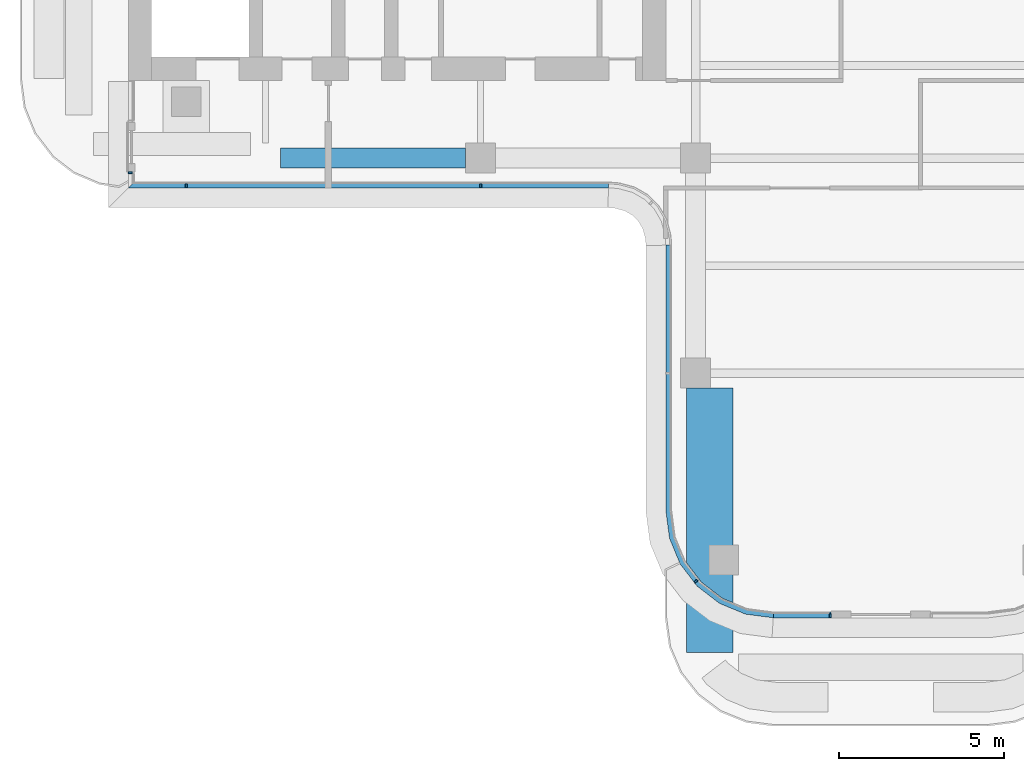
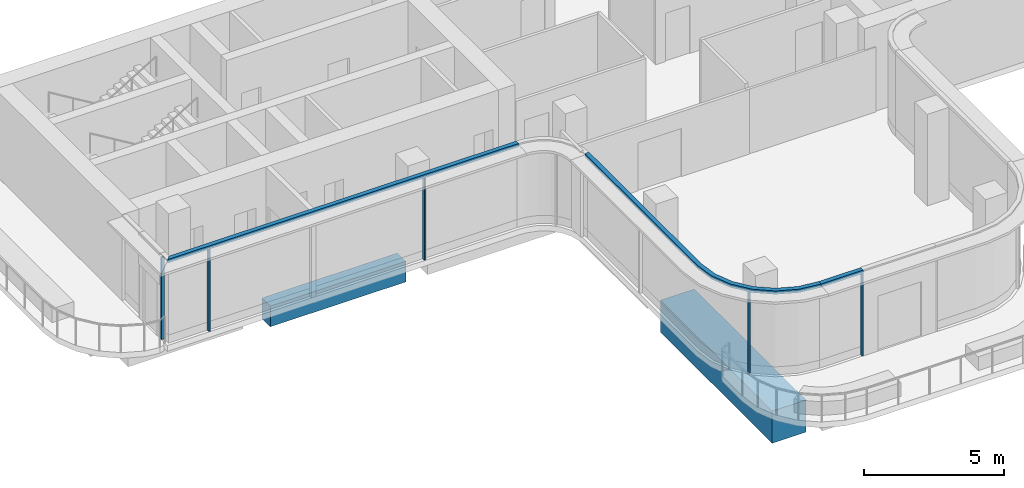
# One storey, part 2 of 18: 8 members, 2 beams, 4 elements without a shape of their own.
"""IFC4 building model written with IfcOpenShell, lengths in metres."""

from ifc_helpers import new_model, si_unit, direction, frame, origin, origin_2d, place, context, subcontext, project, spatial, polyline, rectangle, outline, extrude, source, transform, mapped, material, layer, layer_set, material_profile, profile_set, type_object, element, aggregate, save


model = new_model("IFC4")

# Units and contexts
model_context = context("Model", 3, precision=1e-05, world=origin(), true_north=direction((0.0, 1.0)))
body_context = subcontext(model_context, "Body", "Model", "MODEL_VIEW")
ifc_project = project(units=[si_unit("LENGTHUNIT", "METRE"), si_unit("AREAUNIT", "SQUARE_METRE"), si_unit("VOLUMEUNIT", "CUBIC_METRE"), si_unit("PLANEANGLEUNIT", "RADIAN"), si_unit("MASSUNIT", "GRAM", prefix="KILO")], contexts=[model_context])

# Site, building, storey
site_placement = place(None, origin())
site = spatial("IfcSite", under=ifc_project, at=site_placement, CompositionType="ELEMENT")
building_placement = place(site_placement, origin())
building = spatial("IfcBuilding", under=site, at=building_placement, Name="Trellis Farm Tower", CompositionType="ELEMENT")
storey_placement = place(building_placement, frame((0.0, 0.0, 338.10009765625)))
storey = spatial("IfcBuildingStorey", under=building, at=storey_placement, Name="L76", CompositionType="ELEMENT", Elevation=338.10009765625)

# Curtain wall, member
ifc_material_1 = material(Name="Aluminium and glass curtain wall", Category="aluminium")
ifc_layer_1 = layer(ifc_material_1, 0.176025390625)
ifc_layer_set_1 = layer_set([ifc_layer_1], Name="CROWN LANTERN CURTAIN WALL CW5")
curtain_wall_type = type_object("IfcCurtainWallType", Name="CROWN LANTERN CURTAIN WALL CW5", PredefinedType="NOTDEFINED", material=ifc_layer_set_1)
placement_1 = place(storey_placement, origin())
curtain_wall_1 = element("IfcCurtainWall", 1, at=placement_1, inside=storey, type_object=curtain_wall_type, Name="CW5 002", PredefinedType="NOTDEFINED")
ifc_material_2 = material(Name="Aluminium extrusion 6063-T6", Category="aluminium")
ifc_layer_2 = layer(ifc_material_2, 0.176025390625)
ifc_layer_set_2 = layer_set([ifc_layer_2], Name="Aluminium extrusion 6063-T6")
member_type_1 = type_object("IfcMemberType", Name="CW5 TRANSOM 176x150", PredefinedType="USERDEFINED", material=ifc_layer_set_2)
placement_2 = place(storey_placement, frame((0.0, 0.0, 3.599853515625)))
member_1 = element("IfcMember", 2, at=placement_2, type_object=member_type_1, Name="TR5 002", ObjectType="TRANSOM", PredefinedType="USERDEFINED", context=body_context, shape_type="SweptSolid", body=[
    extrude(outline(polyline([(-3.25, -19.5), (-1.5, -19.5), (-1.5, -19.323974609375), (-3.238525390625, -19.323974609375), (-3.25, -19.5)])), origin(), (0.0, 0.0, 1.0), 0.150146484375),
])

# Beams
ifc_material_3 = material(Name="Concrete C60/75", Category="concrete")
ifc_material_profile_1 = material_profile(ifc_material_3, rectangle(XDim=0.60009765625, YDim=0.89990234375, at=origin_2d()), Name="RC spandrel beam 600x900 C60/75")
ifc_profile_set_1 = profile_set([ifc_material_profile_1], Name="Concrete C60/75")
beam_type_1 = type_object("IfcBeamType", Name="RC spandrel beam 600x900 C60/75", PredefinedType="SPANDREL", material=ifc_profile_set_1)
shared_shape_1 = source(origin(), body_context, "Body", "SweptSolid", [
    extrude(rectangle(XDim=0.60009765625, YDim=0.89990234375, at=origin_2d()), origin(), (0.0, 0.0, 1.0), 5.599853515625),
])
beam_1_placement = place(storey_placement, frame((-18.14990234375, -5.60009765625, -0.7001953125), z_axis=(1.0, 0.0, 0.0), x_axis=(0.0, 1.0, 0.0)))
element("IfcBeam", 3, at=beam_1_placement, inside=storey, type_object=beam_type_1, Name="Girder", PredefinedType="SPANDREL", context=body_context, shape_type="MappedRepresentation", body=[
    mapped(shared_shape_1, transform((0.0, 0.0, 0.0))),
])
ifc_material_4 = material(Name="Concrete C80/95", Category="concrete")
ifc_material_profile_2 = material_profile(ifc_material_4, rectangle(XDim=1.39990234375, YDim=1.39990234375, at=origin_2d()), Name="RC transfer beam 1400x1400 C80/95")
ifc_profile_set_2 = profile_set([ifc_material_profile_2], Name="Concrete C80/95")
beam_type_2 = type_object("IfcBeamType", Name="RC transfer beam 1400x1400 C80/95", PredefinedType="BEAM", material=ifc_profile_set_2)
shared_shape_2 = source(origin(), body_context, "Body", "SweptSolid", [
    extrude(rectangle(XDim=1.39990234375, YDim=1.39990234375, at=origin_2d()), origin(), (0.0, 0.0, 1.0), 8.0),
])
beam_2_placement = place(storey_placement, frame((-5.175048828125, -20.550048828125, -0.9501953125), z_axis=(0.0, 1.0, 0.0), x_axis=(-1.0, 0.0, 0.0)))
element("IfcBeam", 4, at=beam_2_placement, inside=storey, type_object=beam_type_2, Name="Transfer girder", PredefinedType="BEAM", context=body_context, shape_type="MappedRepresentation", body=[
    mapped(shared_shape_2, transform((0.0, 0.0, 0.0))),
])

# Curtain wall, member
curtain_wall_2 = element("IfcCurtainWall", 5, at=placement_1, inside=storey, type_object=curtain_wall_type, Name="CW5 001", PredefinedType="NOTDEFINED")
ifc_material_profile_3 = material_profile(ifc_material_2, rectangle(XDim=0.06005859375, YDim=0.1201171875, at=origin_2d()), Name="MULLION 60x120")
ifc_profile_set_3 = profile_set([ifc_material_profile_3], Name="Aluminium extrusion 6063-T6")
member_type_2 = type_object("IfcMemberType", Name="CW5 MULLION 60x120", PredefinedType="MULLION", material=ifc_profile_set_3)
shared_shape_3 = source(origin(), body_context, "Body", "SweptSolid", [
    extrude(rectangle(XDim=0.06005859375, YDim=0.1201171875, at=origin_2d()), origin(), (0.0, 0.0, 1.0), 3.599853515625),
])
member_2_placement = place(storey_placement, frame((-5.590087890625, -18.394775390625, 0.0), z_axis=(0.0, 0.0, 1.0), x_axis=(0.608761429009, -0.793353340291, 0.0)))
member_2 = element("IfcMember", 6, at=member_2_placement, type_object=member_type_2, Name="MU5 001-02", PredefinedType="MULLION", context=body_context, shape_type="MappedRepresentation", body=[
    mapped(shared_shape_3, transform((0.0, 0.0, 0.0))),
])

# Member
member_3_placement = place(storey_placement, frame((-1.530029296875, -19.43994140625, 0.0), z_axis=(0.0, 0.0, 1.0), x_axis=(1.0, 0.0, 0.0)))
member_3 = element("IfcMember", 7, at=member_3_placement, type_object=member_type_2, Name="MU5 002-01", PredefinedType="MULLION", context=body_context, shape_type="MappedRepresentation", body=[
    mapped(shared_shape_3, transform((0.0, 0.0, 0.0))),
])

aggregate(curtain_wall_1, [member_3, member_1])

# Curtain wall, member
curtain_wall_3 = element("IfcCurtainWall", 8, at=placement_1, inside=storey, type_object=curtain_wall_type, Name="CW5 016", PredefinedType="NOTDEFINED")
member_4_placement = place(storey_placement, frame((-22.68994140625, -6.050048828125, 0.0), z_axis=(0.0, 0.0, 1.0), x_axis=(0.0, -1.0, 0.0)))
member_4 = element("IfcMember", 9, at=member_4_placement, type_object=member_type_2, Name="MU5 016-01", PredefinedType="MULLION", context=body_context, shape_type="MappedRepresentation", body=[
    mapped(shared_shape_3, transform((0.0, 0.0, 0.0))),
])
aggregate(curtain_wall_3, [member_4])

# Curtain wall, members
curtain_wall_4 = element("IfcCurtainWall", 10, at=placement_1, inside=storey, type_object=curtain_wall_type, Name="CW5 017", PredefinedType="NOTDEFINED")
member_5_placement = place(storey_placement, frame((-21.0, -6.43994140625, 0.0), z_axis=(0.0, 0.0, 1.0), x_axis=(1.0, 0.0, 0.0)))
member_5 = element("IfcMember", 11, at=member_5_placement, type_object=member_type_2, Name="MU5 017-01", PredefinedType="MULLION", context=body_context, shape_type="MappedRepresentation", body=[
    mapped(shared_shape_3, transform((0.0, 0.0, 0.0))),
])
member_6_placement = place(storey_placement, frame((-12.10009765625, -6.43994140625, 0.0), z_axis=(0.0, 0.0, 1.0), x_axis=(1.0, 0.0, 0.0)))
member_6 = element("IfcMember", 12, at=member_6_placement, type_object=member_type_2, Name="MU5 017-02", PredefinedType="MULLION", context=body_context, shape_type="MappedRepresentation", body=[
    mapped(shared_shape_3, transform((0.0, 0.0, 0.0))),
])

# Member
shared_shape_4 = source(origin(), body_context, "Body", "SweptSolid", [
    extrude(outline(polyline([(-6.5, -8.2314453125), (-6.5, -16.25), (-6.38916015625, -17.091064453125), (-6.064697265625, -17.875), (-5.548095703125, -18.548095703125), (-4.875, -19.064697265625), (-4.091064453125, -19.38916015625), (-3.25, -19.5), (-3.238525390625, -19.323974609375), (-4.045166015625, -19.2177734375), (-4.7861328125, -18.910888671875), (-5.422607421875, -18.422607421875), (-5.910888671875, -17.7861328125), (-6.2177734375, -17.045166015625), (-6.323974609375, -16.238525390625), (-6.323974609375, -8.2255859375), (-6.5, -8.2314453125)])), origin(), (0.0, 0.0, 1.0), 0.150146484375),
])
member_7 = element("IfcMember", 13, at=placement_2, type_object=member_type_1, Name="TR5 001", ObjectType="TRANSOM", PredefinedType="USERDEFINED", context=body_context, shape_type="MappedRepresentation", body=[
    mapped(shared_shape_4, transform((0.0, 0.0, 0.0))),
])

aggregate(curtain_wall_2, [member_2, member_7])

shared_shape_5 = source(origin(), body_context, "Body", "SweptSolid", [
    extrude(outline(polyline([(-22.75, -6.5), (-8.2314453125, -6.5), (-8.2255859375, -6.323974609375), (-22.573974609375, -6.323974609375), (-22.75, -6.5)])), origin(), (0.0, 0.0, 1.0), 0.150146484375),
])
member_8 = element("IfcMember", 14, at=placement_2, type_object=member_type_1, Name="TR5 017", ObjectType="TRANSOM", PredefinedType="USERDEFINED", context=body_context, shape_type="MappedRepresentation", body=[
    mapped(shared_shape_5, transform((0.0, 0.0, 0.0))),
])

aggregate(curtain_wall_4, [member_5, member_6, member_8])

save(model, "model.ifc")
